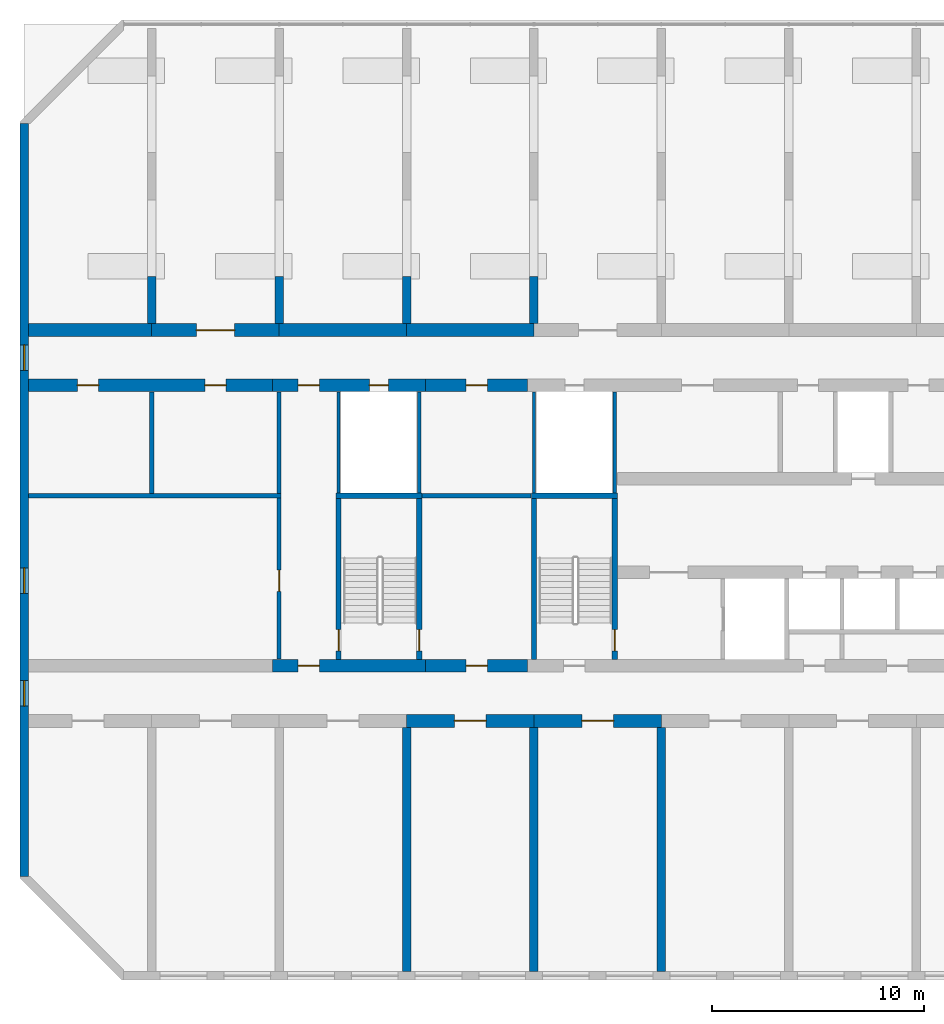
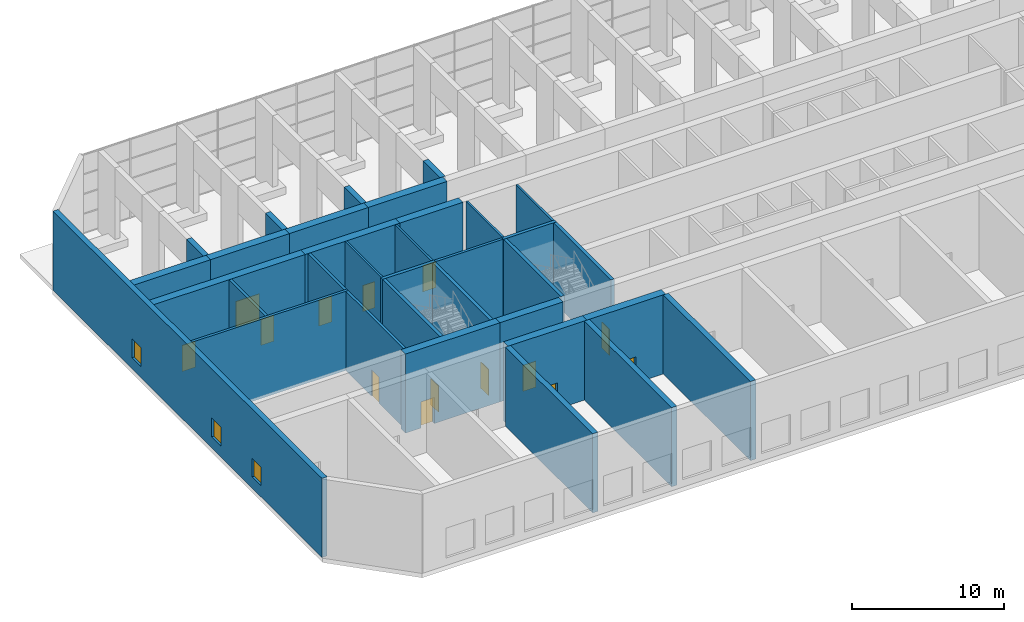
# One storey, part 7 of 15: 34 walls, 14 doors, 3 windows, 17 openings.
"""IFC4 building model written with IfcOpenShell, lengths in metres."""

from ifc_helpers import new_model, si_unit, direction, frame, frame_2d, origin, place, context, subcontext, project, spatial, rectangle, extrude, material, layer, layer_set, type_object, element, fill, save


model = new_model("IFC4")

# Units and contexts
model_context = context("Model", 3, precision=1e-05, world=origin(), true_north=direction((0.0, 1.0)))
body_context = subcontext(model_context, "Body", "Model", "MODEL_VIEW")
ifc_project = project(units=[si_unit("LENGTHUNIT", "METRE"), si_unit("AREAUNIT", "SQUARE_METRE"), si_unit("VOLUMEUNIT", "CUBIC_METRE"), si_unit("PLANEANGLEUNIT", "RADIAN"), si_unit("MASSUNIT", "GRAM", prefix="KILO")], contexts=[model_context])

# Site, building, storey
site_placement = place(None, origin())
site = spatial("IfcSite", under=ifc_project, at=site_placement, CompositionType="ELEMENT")
building_placement = place(site_placement, origin())
building = spatial("IfcBuilding", under=site, at=building_placement, Name="Poui Terraces", CompositionType="ELEMENT")
storey_placement = place(building_placement, frame((0.0, 0.0, 66.300048828125)))
storey = spatial("IfcBuildingStorey", under=building, at=storey_placement, Name="L18", CompositionType="ELEMENT", Elevation=66.300048828125)

# Wall, opening, door
ifc_material_1 = material(Name="Concrete 80 MPa", Category="concrete")
ifc_layer_1 = layer(ifc_material_1, 0.60009765625)
ifc_layer_set_1 = layer_set([ifc_layer_1], Name="Concrete 80 MPa")
wall_type_1 = type_object("IfcWallType", Name="BELT WALL 600 80MPa", PredefinedType="SHEAR", material=ifc_layer_set_1)
wall_1_placement = place(storey_placement, frame((24.0, 12.0, 0.0), z_axis=(0.0, 0.0, 1.0), x_axis=(1.0, 0.0, 0.0)))
wall_1 = element("IfcWall", 1, at=wall_1_placement, inside=storey, type_object=wall_type_1, Name="BELT WALL LINE B BAY 4", PredefinedType="SHEAR", context=body_context, shape_type="SweptSolid", body=[
    extrude(rectangle(XDim=6.0, YDim=0.60009765625, at=frame_2d((3.0, 0.0))), origin(), (0.0, 0.0, 1.0), 6.35986328125),
])
opening_1_placement = place(wall_1_placement, frame((2.25, 0.0, 0.0)))
opening_1 = element("IfcOpeningElement", 2, at=opening_1_placement, cuts=wall_1, Name="Opening FDP", PredefinedType="OPENING", context=body_context, shape_type="SweptSolid", body=[
    extrude(rectangle(XDim=1.5, YDim=2.10009765625, at=frame_2d((0.75, 1.050048828125))), frame((0.0, 0.31005859375, 0.0), z_axis=(0.0, -1.0, 0.0), x_axis=(1.0, 0.0, 0.0)), (0.0, 0.0, 1.0), 0.6201171875),
])
ifc_material_2 = material(Name="Steel fire door", Category="steel")
door_type_1 = type_object("IfcDoorType", Name="PLANT ROOM DOOR PAIR 1500 X 2100", OperationType="DOUBLE_DOOR_SINGLE_SWING", PredefinedType="DOOR", material=ifc_material_2)
door_1_placement = place(opening_1_placement, origin())
door_1 = element("IfcDoor", 3, at=door_1_placement, inside=storey, type_object=door_type_1, Name="PLANT ROOM DOOR PAIR 029", OperationType="DOUBLE_DOOR_SINGLE_SWING", OverallHeight=2.10009765625, OverallWidth=1.5, PredefinedType="DOOR", context=body_context, shape_type="SweptSolid", body=[
    extrude(rectangle(XDim=1.5, YDim=2.10009765625, at=frame_2d((0.75, 1.050048828125))), frame((0.0, 0.02490234375, 0.0), z_axis=(0.0, -1.0, 0.0), x_axis=(1.0, 0.0, 0.0)), (0.0, 0.0, 1.0), 0.050048828125),
])
fill(opening_1, door_1)

wall_2_placement = place(storey_placement, frame((30.0, 12.0, 0.0), z_axis=(0.0, 0.0, 1.0), x_axis=(1.0, 0.0, 0.0)))
wall_2 = element("IfcWall", 4, at=wall_2_placement, inside=storey, type_object=wall_type_1, Name="BELT WALL LINE B BAY 5", PredefinedType="SHEAR", context=body_context, shape_type="SweptSolid", body=[
    extrude(rectangle(XDim=6.0, YDim=0.60009765625, at=frame_2d((3.0, 0.0))), origin(), (0.0, 0.0, 1.0), 6.35986328125),
])
opening_2_placement = place(wall_2_placement, frame((2.25, 0.0, 0.0)))
opening_2 = element("IfcOpeningElement", 5, at=opening_2_placement, cuts=wall_2, Name="Opening FDP", PredefinedType="OPENING", context=body_context, shape_type="SweptSolid", body=[
    extrude(rectangle(XDim=1.5, YDim=2.10009765625, at=frame_2d((0.75, 1.050048828125))), frame((0.0, 0.31005859375, 0.0), z_axis=(0.0, -1.0, 0.0), x_axis=(1.0, 0.0, 0.0)), (0.0, 0.0, 1.0), 0.6201171875),
])
door_2_placement = place(opening_2_placement, origin())
door_2 = element("IfcDoor", 6, at=door_2_placement, inside=storey, type_object=door_type_1, Name="PLANT ROOM DOOR PAIR 032", OperationType="DOUBLE_DOOR_SINGLE_SWING", OverallHeight=2.10009765625, OverallWidth=1.5, PredefinedType="DOOR", context=body_context, shape_type="SweptSolid", body=[
    extrude(rectangle(XDim=1.5, YDim=2.10009765625, at=frame_2d((0.75, 1.050048828125))), frame((0.0, 0.02490234375, 0.0), z_axis=(0.0, -1.0, 0.0), x_axis=(1.0, 0.0, 0.0)), (0.0, 0.0, 1.0), 0.050048828125),
])
fill(opening_2, door_2)

# Wall
wall_3_placement = place(storey_placement, frame((6.199951171875, 30.39990234375, 0.0), z_axis=(0.0, 0.0, 1.0), x_axis=(1.0, 0.0, 0.0)))
element("IfcWall", 7, at=wall_3_placement, inside=storey, type_object=wall_type_1, Name="BELT WALL LINE E BAY 1", PredefinedType="SHEAR", context=body_context, shape_type="SweptSolid", body=[
    extrude(rectangle(XDim=5.800048828125, YDim=0.60009765625, at=frame_2d((2.89990234375, 0.0))), origin(), (0.0, 0.0, 1.0), 6.35986328125),
])

# Wall, opening, door
wall_4_placement = place(storey_placement, frame((12.0, 30.39990234375, 0.0), z_axis=(0.0, 0.0, 1.0), x_axis=(1.0, 0.0, 0.0)))
wall_4 = element("IfcWall", 8, at=wall_4_placement, inside=storey, type_object=wall_type_1, Name="BELT WALL LINE E BAY 2", PredefinedType="SHEAR", context=body_context, shape_type="SweptSolid", body=[
    extrude(rectangle(XDim=6.0, YDim=0.60009765625, at=frame_2d((3.0, 0.0))), origin(), (0.0, 0.0, 1.0), 6.35986328125),
])
opening_3_placement = place(wall_4_placement, frame((2.10009765625, 0.0, 0.0)))
opening_3 = element("IfcOpeningElement", 9, at=opening_3_placement, cuts=wall_4, Name="Opening DD180", PredefinedType="OPENING", context=body_context, shape_type="SweptSolid", body=[
    extrude(rectangle(XDim=1.800048828125, YDim=2.10009765625, at=frame_2d((0.89990234375, 1.050048828125))), frame((0.0, 0.31005859375, 0.0), z_axis=(0.0, -1.0, 0.0), x_axis=(1.0, 0.0, 0.0)), (0.0, 0.0, 1.0), 0.6201171875),
])
door_type_2 = type_object("IfcDoorType", Name="DOUBLE INTERNAL DOOR 1800 X 2100", OperationType="DOUBLE_DOOR_SINGLE_SWING", PredefinedType="DOOR", material=ifc_material_2)
door_3_placement = place(opening_3_placement, frame((1.800048828125, 0.0, 0.0), z_axis=(0.0, 0.0, 1.0), x_axis=(-1.0, 0.0, 0.0)))
door_3 = element("IfcDoor", 10, at=door_3_placement, inside=storey, type_object=door_type_2, Name="DOUBLE INTERNAL DOOR 003", OperationType="DOUBLE_DOOR_SINGLE_SWING", OverallHeight=2.10009765625, OverallWidth=1.800048828125, PredefinedType="DOOR", context=body_context, shape_type="SweptSolid", body=[
    extrude(rectangle(XDim=1.800048828125, YDim=2.10009765625, at=frame_2d((0.89990234375, 1.050048828125))), frame((0.0, 0.02490234375, 0.0), z_axis=(0.0, -1.0, 0.0), x_axis=(1.0, 0.0, 0.0)), (0.0, 0.0, 1.0), 0.050048828125),
])
fill(opening_3, door_3)

# Walls
for number, where, z_axis, x_axis, name in (
    (11, (18.0, 30.39990234375, 0.0), (0.0, 0.0, 1.0), (1.0, 0.0, 0.0), "BELT WALL LINE E BAY 3"),
    (12, (24.0, 30.39990234375, 0.0), (0.0, 0.0, 1.0), (1.0, 0.0, 0.0), "BELT WALL LINE E BAY 4"),
):
    element("IfcWall", number, at=place(storey_placement, frame(where, z_axis=z_axis, x_axis=x_axis)), inside=storey, type_object=wall_type_1, Name=name, PredefinedType="SHEAR", context=body_context, shape_type="SweptSolid", body=[
        extrude(rectangle(XDim=6.0, YDim=0.60009765625, at=frame_2d((3.0, 0.0))), origin(), (0.0, 0.0, 1.0), 6.35986328125),
    ])
ifc_layer_2 = layer(ifc_material_1, 0.39990234375)
ifc_layer_set_2 = layer_set([ifc_layer_2], Name="Concrete 80 MPa")
wall_type_2 = type_object("IfcWallType", Name="CROSS WALL 400 80MPa", PredefinedType="SHEAR", material=ifc_layer_set_2)
for number, where, z_axis, x_axis, name in (
    (13, (24.0, 0.199951171875, 0.0), (0.0, 0.0, 1.0), (0.0, 1.0, 0.0), "CROSS WALL LINE 5 SOUTH"),
    (14, (30.0, 0.199951171875, 0.0), (0.0, 0.0, 1.0), (0.0, 1.0, 0.0), "CROSS WALL LINE 6 SOUTH"),
    (15, (36.0, 0.199951171875, 0.0), (0.0, 0.0, 1.0), (0.0, 1.0, 0.0), "CROSS WALL LINE 7 SOUTH"),
):
    element("IfcWall", number, at=place(storey_placement, frame(where, z_axis=z_axis, x_axis=x_axis)), inside=storey, type_object=wall_type_2, Name=name, PredefinedType="SHEAR", context=body_context, shape_type="SweptSolid", body=[
        extrude(rectangle(XDim=11.5, YDim=0.39990234375, at=frame_2d((5.75, 0.0))), origin(), (0.0, 0.0, 1.0), 6.35986328125),
    ])

# Wall, openings, windows
ifc_layer_3 = layer(ifc_material_1, 0.39990234375)
ifc_layer_set_3 = layer_set([ifc_layer_3], Name="Concrete 80 MPa")
wall_type_3 = type_object("IfcWallType", Name="END WALL 400 80MPa", PredefinedType="SHEAR", material=ifc_layer_set_3)
wall_5_placement = place(storey_placement, frame((6.0, 4.682861328125, 0.0), z_axis=(0.0, 0.0, 1.0), x_axis=(0.0, 1.0, 0.0)))
wall_5 = element("IfcWall", 16, at=wall_5_placement, inside=storey, type_object=wall_type_3, Name="END WALL WEST", PredefinedType="SHEAR", context=body_context, shape_type="SweptSolid", body=[
    extrude(rectangle(XDim=35.434326171875, YDim=0.39990234375, at=frame_2d((17.71728515625, 0.0))), origin(), (0.0, 0.0, 1.0), 6.35986328125),
])
opening_4_placement = place(wall_5_placement, frame((23.817138671875, 0.0, 0.89990234375)))
opening_4 = element("IfcOpeningElement", 17, at=opening_4_placement, cuts=wall_5, Name="Opening W2", PredefinedType="OPENING", context=body_context, shape_type="SweptSolid", body=[
    extrude(rectangle(XDim=1.199951171875, YDim=1.5, at=frame_2d((0.60009765625, 0.75))), frame((0.0, 0.2099609375, 0.0), z_axis=(0.0, -1.0, 0.0), x_axis=(1.0, 0.0, 0.0)), (0.0, 0.0, 1.0), 0.419921875),
])
opening_5_placement = place(wall_5_placement, frame((8.01708984375, 0.0, 0.89990234375)))
opening_5 = element("IfcOpeningElement", 18, at=opening_5_placement, cuts=wall_5, Name="Opening W2", PredefinedType="OPENING", context=body_context, shape_type="SweptSolid", body=[
    extrude(rectangle(XDim=1.199951171875, YDim=1.5, at=frame_2d((0.60009765625, 0.75))), frame((0.0, 0.2099609375, 0.0), z_axis=(0.0, -1.0, 0.0), x_axis=(1.0, 0.0, 0.0)), (0.0, 0.0, 1.0), 0.419921875),
])
opening_6_placement = place(wall_5_placement, frame((13.317138671875, 0.0, 0.89990234375)))
opening_6 = element("IfcOpeningElement", 19, at=opening_6_placement, cuts=wall_5, Name="Opening W2", PredefinedType="OPENING", context=body_context, shape_type="SweptSolid", body=[
    extrude(rectangle(XDim=1.199951171875, YDim=1.5, at=frame_2d((0.60009765625, 0.75))), frame((0.0, 0.2099609375, 0.0), z_axis=(0.0, -1.0, 0.0), x_axis=(1.0, 0.0, 0.0)), (0.0, 0.0, 1.0), 0.419921875),
])
ifc_material_3 = material(Name="Clear glass in aluminium frame", Category="aluminium")
window_type = type_object("IfcWindowType", Name="WINDOW 1200X1500", PartitioningType="SINGLE_PANEL", PredefinedType="WINDOW", material=ifc_material_3)
window_1_placement = place(opening_4_placement, origin())
window_1 = element("IfcWindow", 20, at=window_1_placement, inside=storey, type_object=window_type, Name="W2 WINDOW", OverallHeight=1.5, OverallWidth=1.199951171875, PartitioningType="SINGLE_PANEL", PredefinedType="WINDOW", context=body_context, shape_type="SweptSolid", body=[
    extrude(rectangle(XDim=1.199951171875, YDim=1.5, at=frame_2d((0.60009765625, 0.75))), frame((0.0, 0.030029296875, 0.0), z_axis=(0.0, -1.0, 0.0), x_axis=(1.0, 0.0, 0.0)), (0.0, 0.0, 1.0), 0.06005859375),
])
fill(opening_4, window_1)
window_2_placement = place(opening_5_placement, origin())
window_2 = element("IfcWindow", 21, at=window_2_placement, inside=storey, type_object=window_type, Name="W2 WINDOW", OverallHeight=1.5, OverallWidth=1.199951171875, PartitioningType="SINGLE_PANEL", PredefinedType="WINDOW", context=body_context, shape_type="SweptSolid", body=[
    extrude(rectangle(XDim=1.199951171875, YDim=1.5, at=frame_2d((0.60009765625, 0.75))), frame((0.0, 0.030029296875, 0.0), z_axis=(0.0, -1.0, 0.0), x_axis=(1.0, 0.0, 0.0)), (0.0, 0.0, 1.0), 0.06005859375),
])
fill(opening_5, window_2)
window_3_placement = place(opening_6_placement, origin())
window_3 = element("IfcWindow", 22, at=window_3_placement, inside=storey, type_object=window_type, Name="W2 WINDOW", OverallHeight=1.5, OverallWidth=1.199951171875, PartitioningType="SINGLE_PANEL", PredefinedType="WINDOW", context=body_context, shape_type="SweptSolid", body=[
    extrude(rectangle(XDim=1.199951171875, YDim=1.5, at=frame_2d((0.60009765625, 0.75))), frame((0.0, 0.030029296875, 0.0), z_axis=(0.0, -1.0, 0.0), x_axis=(1.0, 0.0, 0.0)), (0.0, 0.0, 1.0), 0.06005859375),
])
fill(opening_6, window_3)

# Wall, opening, door
ifc_layer_4 = layer(ifc_material_1, 0.60009765625)
ifc_layer_set_4 = layer_set([ifc_layer_4], Name="Concrete 80 MPa")
wall_type_4 = type_object("IfcWallType", Name="OUTRIGGER WALL 600 80MPa", PredefinedType="SHEAR", material=ifc_layer_set_4)
wall_6_placement = place(storey_placement, frame((24.89990234375, 14.60009765625, 0.0), z_axis=(0.0, 0.0, 1.0), x_axis=(1.0, 0.0, 0.0)))
wall_6 = element("IfcWall", 23, at=wall_6_placement, inside=storey, type_object=wall_type_4, Name="OUTRIGGER WALL LINE C W2", PredefinedType="SHEAR", context=body_context, shape_type="SweptSolid", body=[
    extrude(rectangle(XDim=4.800048828125, YDim=0.60009765625, at=frame_2d((2.39990234375, 0.0))), origin(), (0.0, 0.0, 1.0), 6.35986328125),
])
opening_7_placement = place(wall_6_placement, frame((1.89990234375, 0.0, 0.0)))
opening_7 = element("IfcOpeningElement", 24, at=opening_7_placement, cuts=wall_6, Name="Opening FDRF", PredefinedType="OPENING", context=body_context, shape_type="SweptSolid", body=[
    extrude(rectangle(XDim=1.0, YDim=2.10009765625, at=frame_2d((0.5, 1.050048828125))), frame((0.0, 0.31005859375, 0.0), z_axis=(0.0, -1.0, 0.0), x_axis=(1.0, 0.0, 0.0)), (0.0, 0.0, 1.0), 0.6201171875),
])
door_type_3 = type_object("IfcDoorType", Name="REFUGE AREA DOOR 1000 X 2100", OperationType="NOTDEFINED", PredefinedType="DOOR", material=ifc_material_2)
door_4_placement = place(opening_7_placement, frame((1.0, 0.0, 0.0), z_axis=(0.0, 0.0, 1.0), x_axis=(-1.0, 0.0, 0.0)))
door_4 = element("IfcDoor", 25, at=door_4_placement, inside=storey, type_object=door_type_3, Name="REFUGE AREA DOOR 030", OperationType="SINGLE_SWING_LEFT", OverallHeight=2.10009765625, OverallWidth=1.0, PredefinedType="DOOR", context=body_context, shape_type="SweptSolid", body=[
    extrude(rectangle(XDim=1.0, YDim=2.10009765625, at=frame_2d((0.5, 1.050048828125))), frame((0.0, 0.02490234375, 0.0), z_axis=(0.0, -1.0, 0.0), x_axis=(1.0, 0.0, 0.0)), (0.0, 0.0, 1.0), 0.050048828125),
])
fill(opening_7, door_4)

# Wall, openings, doors
wall_7_placement = place(storey_placement, frame((6.199951171875, 27.800048828125, 0.0), z_axis=(0.0, 0.0, 1.0), x_axis=(1.0, 0.0, 0.0)))
wall_7 = element("IfcWall", 26, at=wall_7_placement, inside=storey, type_object=wall_type_4, Name="OUTRIGGER WALL LINE D W1", PredefinedType="SHEAR", context=body_context, shape_type="SweptSolid", body=[
    extrude(rectangle(XDim=11.5, YDim=0.60009765625, at=frame_2d((5.75, 0.0))), origin(), (0.0, 0.0, 1.0), 6.35986328125),
])
opening_8_placement = place(wall_7_placement, frame((2.300048828125, 0.0, 0.0)))
opening_8 = element("IfcOpeningElement", 27, at=opening_8_placement, cuts=wall_7, Name="Opening FD60", PredefinedType="OPENING", context=body_context, shape_type="SweptSolid", body=[
    extrude(rectangle(XDim=1.0, YDim=2.10009765625, at=frame_2d((0.5, 1.050048828125))), frame((0.0, 0.31005859375, 0.0), z_axis=(0.0, -1.0, 0.0), x_axis=(1.0, 0.0, 0.0)), (0.0, 0.0, 1.0), 0.6201171875),
])
opening_9_placement = place(wall_7_placement, frame((8.300048828125, 0.0, 0.0)))
opening_9 = element("IfcOpeningElement", 28, at=opening_9_placement, cuts=wall_7, Name="Opening FD60", PredefinedType="OPENING", context=body_context, shape_type="SweptSolid", body=[
    extrude(rectangle(XDim=1.0, YDim=2.10009765625, at=frame_2d((0.5, 1.050048828125))), frame((0.0, 0.31005859375, 0.0), z_axis=(0.0, -1.0, 0.0), x_axis=(1.0, 0.0, 0.0)), (0.0, 0.0, 1.0), 0.6201171875),
])
door_type_4 = type_object("IfcDoorType", Name="SERVICE ROOM FIRE DOOR 1000 X 2100", OperationType="NOTDEFINED", PredefinedType="DOOR", material=ifc_material_2)
door_5_placement = place(opening_8_placement, origin())
door_5 = element("IfcDoor", 29, at=door_5_placement, inside=storey, type_object=door_type_4, Name="SERVICE ROOM FIRE DOOR 001", OperationType="SINGLE_SWING_LEFT", OverallHeight=2.10009765625, OverallWidth=1.0, PredefinedType="DOOR", context=body_context, shape_type="SweptSolid", body=[
    extrude(rectangle(XDim=1.0, YDim=2.10009765625, at=frame_2d((0.5, 1.050048828125))), frame((0.0, 0.02490234375, 0.0), z_axis=(0.0, -1.0, 0.0), x_axis=(1.0, 0.0, 0.0)), (0.0, 0.0, 1.0), 0.050048828125),
])
fill(opening_8, door_5)
door_6_placement = place(opening_9_placement, origin())
door_6 = element("IfcDoor", 30, at=door_6_placement, inside=storey, type_object=door_type_4, Name="SERVICE ROOM FIRE DOOR 002", OperationType="SINGLE_SWING_RIGHT", OverallHeight=2.10009765625, OverallWidth=1.0, PredefinedType="DOOR", context=body_context, shape_type="SweptSolid", body=[
    extrude(rectangle(XDim=1.0, YDim=2.10009765625, at=frame_2d((0.5, 1.050048828125))), frame((0.0, 0.02490234375, 0.0), z_axis=(0.0, -1.0, 0.0), x_axis=(1.0, 0.0, 0.0)), (0.0, 0.0, 1.0), 0.050048828125),
])
fill(opening_9, door_6)

# Wall, opening, door
wall_8_placement = place(storey_placement, frame((24.89990234375, 27.800048828125, 0.0), z_axis=(0.0, 0.0, 1.0), x_axis=(1.0, 0.0, 0.0)))
wall_8 = element("IfcWall", 31, at=wall_8_placement, inside=storey, type_object=wall_type_4, Name="OUTRIGGER WALL LINE D W2", PredefinedType="SHEAR", context=body_context, shape_type="SweptSolid", body=[
    extrude(rectangle(XDim=4.800048828125, YDim=0.60009765625, at=frame_2d((2.39990234375, 0.0))), origin(), (0.0, 0.0, 1.0), 6.35986328125),
])
opening_10_placement = place(wall_8_placement, frame((1.89990234375, 0.0, 0.0)))
opening_10 = element("IfcOpeningElement", 32, at=opening_10_placement, cuts=wall_8, Name="Opening FD60", PredefinedType="OPENING", context=body_context, shape_type="SweptSolid", body=[
    extrude(rectangle(XDim=1.0, YDim=2.10009765625, at=frame_2d((0.5, 1.050048828125))), frame((0.0, 0.31005859375, 0.0), z_axis=(0.0, -1.0, 0.0), x_axis=(1.0, 0.0, 0.0)), (0.0, 0.0, 1.0), 0.6201171875),
])
door_7_placement = place(opening_10_placement, origin())
door_7 = element("IfcDoor", 33, at=door_7_placement, inside=storey, type_object=door_type_4, Name="SERVICE ROOM FIRE DOOR 006", OperationType="SINGLE_SWING_RIGHT", OverallHeight=2.10009765625, OverallWidth=1.0, PredefinedType="DOOR", context=body_context, shape_type="SweptSolid", body=[
    extrude(rectangle(XDim=1.0, YDim=2.10009765625, at=frame_2d((0.5, 1.050048828125))), frame((0.0, 0.02490234375, 0.0), z_axis=(0.0, -1.0, 0.0), x_axis=(1.0, 0.0, 0.0)), (0.0, 0.0, 1.0), 0.050048828125),
])
fill(opening_10, door_7)

# Walls
ifc_layer_5 = layer(ifc_material_1, 0.39990234375)
ifc_layer_set_5 = layer_set([ifc_layer_5], Name="Concrete 80 MPa")
wall_type_5 = type_object("IfcWallType", Name="PIERCED CROSS WALL 400 80MPa", PredefinedType="SHEAR", material=ifc_layer_set_5)
for number, where, z_axis, x_axis, name in (
    (34, (12.0, 30.699951171875, 0.0), (0.0, 0.0, 1.0), (0.0, 1.0, 0.0), "PIER LINE 3 1"),
    (35, (18.0, 30.699951171875, 0.0), (0.0, 0.0, 1.0), (0.0, 1.0, 0.0), "PIER LINE 4 1"),
    (36, (24.0, 30.699951171875, 0.0), (0.0, 0.0, 1.0), (0.0, 1.0, 0.0), "PIER LINE 5 1"),
    (37, (30.0, 30.699951171875, 0.0), (0.0, 0.0, 1.0), (0.0, 1.0, 0.0), "PIER LINE 6 1"),
):
    element("IfcWall", number, at=place(storey_placement, frame(where, z_axis=z_axis, x_axis=x_axis)), inside=storey, type_object=wall_type_5, Name=name, PredefinedType="SHEAR", context=body_context, shape_type="SweptSolid", body=[
        extrude(rectangle(XDim=2.2333984375, YDim=0.39990234375, at=frame_2d((1.11669921875, 0.0))), origin(), (0.0, 0.0, 1.0), 6.35986328125),
    ])
ifc_material_4 = material(Name="Fire-rated masonry wall", Category="masonry")
ifc_layer_6 = layer(ifc_material_4, 0.199951171875)
ifc_layer_set_6 = layer_set([ifc_layer_6], Name="Fire-rated masonry wall")
wall_type_6 = type_object("IfcWallType", Name="PLANT ROOM WALL 200", PredefinedType="PARTITIONING", material=ifc_layer_set_6)
for number, where, z_axis, x_axis, name in (
    (38, (12.0, 22.699951171875, 0.0), (0.0, 0.0, 1.0), (0.0, 1.0, 0.0), "PLANT ROOM WALL 200"),
    (39, (18.0, 22.699951171875, 0.0), (0.0, 0.0, 1.0), (0.0, 1.0, 0.0), "PLANT ROOM WALL 200"),
):
    element("IfcWall", number, at=place(storey_placement, frame(where, z_axis=z_axis, x_axis=x_axis)), inside=storey, type_object=wall_type_6, Name=name, PredefinedType="PARTITIONING", context=body_context, shape_type="SweptSolid", body=[
        extrude(rectangle(XDim=4.7900390625, YDim=0.199951171875, at=frame_2d((2.39501953125, 0.0))), origin(), (0.0, 0.0, 1.0), 6.35986328125),
    ])
ifc_layer_7 = layer(ifc_material_4, 0.199951171875)
ifc_layer_set_7 = layer_set([ifc_layer_7], Name="Fire-rated masonry wall")
wall_type_7 = type_object("IfcWallType", Name="REFUGE AREA WALL 200", PredefinedType="PARTITIONING", material=ifc_layer_set_7)
wall_9_placement = place(storey_placement, frame((6.2099609375, 22.60009765625, 0.0), z_axis=(0.0, 0.0, 1.0), x_axis=(1.0, 0.0, 0.0)))
element("IfcWall", 40, at=wall_9_placement, inside=storey, type_object=wall_type_7, Name="REFUGE AREA WALL 200", PredefinedType="PARTITIONING", context=body_context, shape_type="SweptSolid", body=[
    extrude(rectangle(XDim=11.89013671875, YDim=0.199951171875, at=frame_2d((5.945068359375, 0.0))), origin(), (0.0, 0.0, 1.0), 6.35986328125),
])
wall_10_placement = place(storey_placement, frame((24.735107421875, 22.60009765625, 0.0), z_axis=(0.0, 0.0, 1.0), x_axis=(1.0, 0.0, 0.0)))
element("IfcWall", 41, at=wall_10_placement, inside=storey, type_object=wall_type_7, Name="REFUGE AREA WALL 200", PredefinedType="PARTITIONING", context=body_context, shape_type="SweptSolid", body=[
    extrude(rectangle(XDim=5.1298828125, YDim=0.199951171875, at=frame_2d((2.56494140625, 0.0))), origin(), (0.0, 0.0, 1.0), 6.35986328125),
])

# Wall, opening, door
wall_11_placement = place(storey_placement, frame((18.0, 14.909912109375, 0.0), z_axis=(0.0, 0.0, 1.0), x_axis=(0.0, 1.0, 0.0)))
wall_11 = element("IfcWall", 42, at=wall_11_placement, inside=storey, type_object=wall_type_7, Name="REFUGE AREA WALL 200", PredefinedType="PARTITIONING", context=body_context, shape_type="SweptSolid", body=[
    extrude(rectangle(XDim=7.590087890625, YDim=0.199951171875, at=frame_2d((3.794921875, 0.0))), origin(), (0.0, 0.0, 1.0), 6.35986328125),
])
opening_11_placement = place(wall_11_placement, frame((3.18994140625, 0.0, 0.0)))
opening_11 = element("IfcOpeningElement", 43, at=opening_11_placement, cuts=wall_11, Name="Opening FDRF", PredefinedType="OPENING", context=body_context, shape_type="SweptSolid", body=[
    extrude(rectangle(XDim=1.0, YDim=2.10009765625, at=frame_2d((0.5, 1.050048828125))), frame((0.0, 0.10986328125, 0.0), z_axis=(0.0, -1.0, 0.0), x_axis=(1.0, 0.0, 0.0)), (0.0, 0.0, 1.0), 0.219970703125),
])
door_8_placement = place(opening_11_placement, frame((1.0, 0.0, 0.0), z_axis=(0.0, 0.0, 1.0), x_axis=(-1.0, 0.0, 0.0)))
door_8 = element("IfcDoor", 44, at=door_8_placement, inside=storey, type_object=door_type_3, Name="REFUGE AREA DOOR 070", OperationType="SINGLE_SWING_LEFT", OverallHeight=2.10009765625, OverallWidth=1.0, PredefinedType="DOOR", context=body_context, shape_type="SweptSolid", body=[
    extrude(rectangle(XDim=1.0, YDim=2.10009765625, at=frame_2d((0.5, 1.050048828125))), frame((0.0, 0.02490234375, 0.0), z_axis=(0.0, -1.0, 0.0), x_axis=(1.0, 0.0, 0.0)), (0.0, 0.0, 1.0), 0.050048828125),
])
fill(opening_11, door_8)

# Walls
ifc_material_5 = material(Name="Fire-rated plasterboard riser wall")
ifc_layer_8 = layer(ifc_material_5, 0.14990234375)
ifc_layer_set_8 = layer_set([ifc_layer_8], Name="Fire-rated plasterboard riser wall")
wall_type_8 = type_object("IfcWallType", Name="RISER WALL 150", PredefinedType="PARTITIONING", material=ifc_layer_set_8)
for number, where, z_axis, x_axis, name in (
    (45, (20.800048828125, 22.735107421875, 0.0), (0.0, 0.0, 1.0), (0.0, 1.0, 0.0), "RISER WALL 150"),
    (46, (24.60009765625, 22.735107421875, 0.0), (0.0, 0.0, 1.0), (0.0, 1.0, 0.0), "RISER WALL 150"),
    (47, (30.0, 22.735107421875, 0.0), (0.0, 0.0, 1.0), (0.0, 1.0, 0.0), "RISER WALL 150"),
    (48, (33.800048828125, 22.735107421875, 0.0), (0.0, 0.0, 1.0), (0.0, 1.0, 0.0), "RISER WALL 150"),
):
    element("IfcWall", number, at=place(storey_placement, frame(where, z_axis=z_axis, x_axis=x_axis)), inside=storey, type_object=wall_type_8, Name=name, PredefinedType="PARTITIONING", context=body_context, shape_type="SweptSolid", body=[
        extrude(rectangle(XDim=4.7548828125, YDim=0.14990234375, at=frame_2d((2.37744140625, 0.0))), origin(), (0.0, 0.0, 1.0), 6.35986328125),
    ])

# Wall, opening, door
ifc_layer_9 = layer(ifc_material_1, 0.60009765625)
ifc_layer_set_9 = layer_set([ifc_layer_9], Name="Concrete 80 MPa")
wall_type_9 = type_object("IfcWallType", Name="SPINE WALL 600 80 MPA", PredefinedType="SOLIDWALL", material=ifc_layer_set_9)
wall_12_placement = place(storey_placement, frame((17.699951171875, 14.60009765625, 0.0), z_axis=(0.0, 0.0, 1.0), x_axis=(1.0, 0.0, 0.0)))
wall_12 = element("IfcWall", 49, at=wall_12_placement, inside=storey, type_object=wall_type_9, Name="SPINE WALL", PredefinedType="SOLIDWALL", context=body_context, shape_type="SweptSolid", body=[
    extrude(rectangle(XDim=7.199951171875, YDim=0.60009765625, at=frame_2d((3.60009765625, 0.0))), origin(), (0.0, 0.0, 1.0), 6.35986328125),
])
opening_12_placement = place(wall_12_placement, frame((1.199951171875, 0.0, 0.0)))
opening_12 = element("IfcOpeningElement", 50, at=opening_12_placement, cuts=wall_12, Name="Opening FDL", PredefinedType="OPENING", context=body_context, shape_type="SweptSolid", body=[
    extrude(rectangle(XDim=1.0, YDim=2.10009765625, at=frame_2d((0.5, 1.050048828125))), frame((0.0, 0.31005859375, 0.0), z_axis=(0.0, -1.0, 0.0), x_axis=(1.0, 0.0, 0.0)), (0.0, 0.0, 1.0), 0.6201171875),
])
door_type_5 = type_object("IfcDoorType", Name="LOBBY FIRE DOOR 1000 X 2100", OperationType="NOTDEFINED", PredefinedType="DOOR", material=ifc_material_2)
door_9_placement = place(opening_12_placement, frame((1.0, 0.0, 0.0), z_axis=(0.0, 0.0, 1.0), x_axis=(-1.0, 0.0, 0.0)))
door_9 = element("IfcDoor", 51, at=door_9_placement, inside=storey, type_object=door_type_5, Name="LOBBY FIRE DOOR 027", OperationType="SINGLE_SWING_RIGHT", OverallHeight=2.10009765625, OverallWidth=1.0, PredefinedType="DOOR", context=body_context, shape_type="SweptSolid", body=[
    extrude(rectangle(XDim=1.0, YDim=2.10009765625, at=frame_2d((0.5, 1.050048828125))), frame((0.0, 0.02490234375, 0.0), z_axis=(0.0, -1.0, 0.0), x_axis=(1.0, 0.0, 0.0)), (0.0, 0.0, 1.0), 0.050048828125),
])
fill(opening_12, door_9)

# Wall, openings, doors
wall_13_placement = place(storey_placement, frame((17.699951171875, 27.800048828125, 0.0), z_axis=(0.0, 0.0, 1.0), x_axis=(1.0, 0.0, 0.0)))
wall_13 = element("IfcWall", 52, at=wall_13_placement, inside=storey, type_object=wall_type_9, Name="SPINE WALL", PredefinedType="SOLIDWALL", context=body_context, shape_type="SweptSolid", body=[
    extrude(rectangle(XDim=7.199951171875, YDim=0.60009765625, at=frame_2d((3.60009765625, 0.0))), origin(), (0.0, 0.0, 1.0), 6.35986328125),
])
opening_13_placement = place(wall_13_placement, frame((1.199951171875, 0.0, 0.0)))
opening_13 = element("IfcOpeningElement", 53, at=opening_13_placement, cuts=wall_13, Name="Opening FDL", PredefinedType="OPENING", context=body_context, shape_type="SweptSolid", body=[
    extrude(rectangle(XDim=1.0, YDim=2.10009765625, at=frame_2d((0.5, 1.050048828125))), frame((0.0, 0.31005859375, 0.0), z_axis=(0.0, -1.0, 0.0), x_axis=(1.0, 0.0, 0.0)), (0.0, 0.0, 1.0), 0.6201171875),
])
opening_14_placement = place(wall_13_placement, frame((4.550048828125, 0.0, 0.0)))
opening_14 = element("IfcOpeningElement", 54, at=opening_14_placement, cuts=wall_13, Name="Opening FDR", PredefinedType="OPENING", context=body_context, shape_type="SweptSolid", body=[
    extrude(rectangle(XDim=0.89990234375, YDim=2.10009765625, at=frame_2d((0.449951171875, 1.050048828125))), frame((0.0, 0.31005859375, 0.0), z_axis=(0.0, -1.0, 0.0), x_axis=(1.0, 0.0, 0.0)), (0.0, 0.0, 1.0), 0.6201171875),
])
door_10_placement = place(opening_13_placement, origin())
door_10 = element("IfcDoor", 55, at=door_10_placement, inside=storey, type_object=door_type_5, Name="LOBBY FIRE DOOR 004", OperationType="SINGLE_SWING_LEFT", OverallHeight=2.10009765625, OverallWidth=1.0, PredefinedType="DOOR", context=body_context, shape_type="SweptSolid", body=[
    extrude(rectangle(XDim=1.0, YDim=2.10009765625, at=frame_2d((0.5, 1.050048828125))), frame((0.0, 0.02490234375, 0.0), z_axis=(0.0, -1.0, 0.0), x_axis=(1.0, 0.0, 0.0)), (0.0, 0.0, 1.0), 0.050048828125),
])
fill(opening_13, door_10)
door_type_6 = type_object("IfcDoorType", Name="RISER CUPBOARD DOOR 900 X 2100", OperationType="NOTDEFINED", PredefinedType="DOOR", material=ifc_material_2)
door_11_placement = place(opening_14_placement, origin())
door_11 = element("IfcDoor", 56, at=door_11_placement, inside=storey, type_object=door_type_6, Name="RISER CUPBOARD DOOR 005", OperationType="SINGLE_SWING_LEFT", OverallHeight=2.10009765625, OverallWidth=0.89990234375, PredefinedType="DOOR", context=body_context, shape_type="SweptSolid", body=[
    extrude(rectangle(XDim=0.89990234375, YDim=2.10009765625, at=frame_2d((0.449951171875, 1.050048828125))), frame((0.0, 0.02490234375, 0.0), z_axis=(0.0, -1.0, 0.0), x_axis=(1.0, 0.0, 0.0)), (0.0, 0.0, 1.0), 0.050048828125),
])
fill(opening_14, door_11)

# Wall
ifc_layer_10 = layer(ifc_material_1, 0.25)
ifc_layer_set_10 = layer_set([ifc_layer_10], Name="Concrete 80 MPa")
wall_type_10 = type_object("IfcWallType", Name="STAIR CORE WALL 250 80 MPA", PredefinedType="SOLIDWALL", material=ifc_layer_set_10)
wall_14_placement = place(storey_placement, frame((30.0, 14.89990234375, 0.0), z_axis=(0.0, 0.0, 1.0), x_axis=(0.0, 1.0, 0.0)))
element("IfcWall", 57, at=wall_14_placement, inside=storey, type_object=wall_type_10, Name="STAIR CORE WALL", PredefinedType="SOLIDWALL", context=body_context, shape_type="SweptSolid", body=[
    extrude(rectangle(XDim=7.5751953125, YDim=0.25, at=frame_2d((3.78759765625, 0.0))), origin(), (0.0, 0.0, 1.0), 6.35986328125),
])

# Wall, opening, door
wall_15_placement = place(storey_placement, frame((33.800048828125, 14.89990234375, 0.0), z_axis=(0.0, 0.0, 1.0), x_axis=(0.0, 1.0, 0.0)))
wall_15 = element("IfcWall", 58, at=wall_15_placement, inside=storey, type_object=wall_type_10, Name="STAIR CORE WALL", PredefinedType="SOLIDWALL", context=body_context, shape_type="SweptSolid", body=[
    extrude(rectangle(XDim=7.5751953125, YDim=0.25, at=frame_2d((3.78759765625, 0.0))), origin(), (0.0, 0.0, 1.0), 6.35986328125),
])
opening_15_placement = place(wall_15_placement, frame((0.39990234375, 0.0, 0.0)))
opening_15 = element("IfcOpeningElement", 59, at=opening_15_placement, cuts=wall_15, Name="Opening FD60S", PredefinedType="OPENING", context=body_context, shape_type="SweptSolid", body=[
    extrude(rectangle(XDim=1.0, YDim=2.10009765625, at=frame_2d((0.5, 1.050048828125))), frame((0.0, 0.135009765625, 0.0), z_axis=(0.0, -1.0, 0.0), x_axis=(1.0, 0.0, 0.0)), (0.0, 0.0, 1.0), 0.27001953125),
])
door_type_7 = type_object("IfcDoorType", Name="STAIR DOOR 1000 X 2100", OperationType="NOTDEFINED", PredefinedType="DOOR", material=ifc_material_2)
door_12_placement = place(opening_15_placement, origin())
door_12 = element("IfcDoor", 60, at=door_12_placement, inside=storey, type_object=door_type_7, Name="STAIR DOOR 053", OperationType="SINGLE_SWING_LEFT", OverallHeight=2.10009765625, OverallWidth=1.0, PredefinedType="DOOR", context=body_context, shape_type="SweptSolid", body=[
    extrude(rectangle(XDim=1.0, YDim=2.10009765625, at=frame_2d((0.5, 1.050048828125))), frame((0.0, 0.02490234375, 0.0), z_axis=(0.0, -1.0, 0.0), x_axis=(1.0, 0.0, 0.0)), (0.0, 0.0, 1.0), 0.050048828125),
])
fill(opening_15, door_12)

# Wall
wall_16_placement = place(storey_placement, frame((29.875, 22.60009765625, 0.0), z_axis=(0.0, 0.0, 1.0), x_axis=(1.0, 0.0, 0.0)))
element("IfcWall", 61, at=wall_16_placement, inside=storey, type_object=wall_type_10, Name="STAIR CORE WALL", PredefinedType="SOLIDWALL", context=body_context, shape_type="SweptSolid", body=[
    extrude(rectangle(XDim=4.050048828125, YDim=0.25, at=frame_2d((2.02490234375, 0.0))), origin(), (0.0, 0.0, 1.0), 6.35986328125),
])

# Wall, opening, door
wall_17_placement = place(storey_placement, frame((20.800048828125, 14.89990234375, 0.0), z_axis=(0.0, 0.0, 1.0), x_axis=(0.0, 1.0, 0.0)))
wall_17 = element("IfcWall", 62, at=wall_17_placement, inside=storey, type_object=wall_type_10, Name="STAIR CORE WALL", PredefinedType="SOLIDWALL", context=body_context, shape_type="SweptSolid", body=[
    extrude(rectangle(XDim=7.5751953125, YDim=0.25, at=frame_2d((3.78759765625, 0.0))), origin(), (0.0, 0.0, 1.0), 6.35986328125),
])
opening_16_placement = place(wall_17_placement, frame((0.39990234375, 0.0, 0.0)))
opening_16 = element("IfcOpeningElement", 63, at=opening_16_placement, cuts=wall_17, Name="Opening FD60S", PredefinedType="OPENING", context=body_context, shape_type="SweptSolid", body=[
    extrude(rectangle(XDim=1.0, YDim=2.10009765625, at=frame_2d((0.5, 1.050048828125))), frame((0.0, 0.135009765625, 0.0), z_axis=(0.0, -1.0, 0.0), x_axis=(1.0, 0.0, 0.0)), (0.0, 0.0, 1.0), 0.27001953125),
])
door_13_placement = place(opening_16_placement, frame((1.0, 0.0, 0.0), z_axis=(0.0, 0.0, 1.0), x_axis=(-1.0, 0.0, 0.0)))
door_13 = element("IfcDoor", 64, at=door_13_placement, inside=storey, type_object=door_type_7, Name="STAIR DOOR 071", OperationType="SINGLE_SWING_RIGHT", OverallHeight=2.10009765625, OverallWidth=1.0, PredefinedType="DOOR", context=body_context, shape_type="SweptSolid", body=[
    extrude(rectangle(XDim=1.0, YDim=2.10009765625, at=frame_2d((0.5, 1.050048828125))), frame((0.0, 0.02490234375, 0.0), z_axis=(0.0, -1.0, 0.0), x_axis=(1.0, 0.0, 0.0)), (0.0, 0.0, 1.0), 0.050048828125),
])
fill(opening_16, door_13)

wall_18_placement = place(storey_placement, frame((24.60009765625, 14.89990234375, 0.0), z_axis=(0.0, 0.0, 1.0), x_axis=(0.0, 1.0, 0.0)))
wall_18 = element("IfcWall", 65, at=wall_18_placement, inside=storey, type_object=wall_type_10, Name="STAIR CORE WALL", PredefinedType="SOLIDWALL", context=body_context, shape_type="SweptSolid", body=[
    extrude(rectangle(XDim=7.5751953125, YDim=0.25, at=frame_2d((3.78759765625, 0.0))), origin(), (0.0, 0.0, 1.0), 6.35986328125),
])
opening_17_placement = place(wall_18_placement, frame((0.39990234375, 0.0, 0.0)))
opening_17 = element("IfcOpeningElement", 66, at=opening_17_placement, cuts=wall_18, Name="Opening FDRF", PredefinedType="OPENING", context=body_context, shape_type="SweptSolid", body=[
    extrude(rectangle(XDim=1.0, YDim=2.10009765625, at=frame_2d((0.5, 1.050048828125))), frame((0.0, 0.135009765625, 0.0), z_axis=(0.0, -1.0, 0.0), x_axis=(1.0, 0.0, 0.0)), (0.0, 0.0, 1.0), 0.27001953125),
])
door_14_placement = place(opening_17_placement, origin())
door_14 = element("IfcDoor", 67, at=door_14_placement, inside=storey, type_object=door_type_3, Name="REFUGE AREA DOOR 067", OperationType="SINGLE_SWING_LEFT", OverallHeight=2.10009765625, OverallWidth=1.0, PredefinedType="DOOR", context=body_context, shape_type="SweptSolid", body=[
    extrude(rectangle(XDim=1.0, YDim=2.10009765625, at=frame_2d((0.5, 1.050048828125))), frame((0.0, 0.02490234375, 0.0), z_axis=(0.0, -1.0, 0.0), x_axis=(1.0, 0.0, 0.0)), (0.0, 0.0, 1.0), 0.050048828125),
])
fill(opening_17, door_14)

# Wall
wall_19_placement = place(storey_placement, frame((20.675048828125, 22.60009765625, 0.0), z_axis=(0.0, 0.0, 1.0), x_axis=(1.0, 0.0, 0.0)))
element("IfcWall", 68, at=wall_19_placement, inside=storey, type_object=wall_type_10, Name="STAIR CORE WALL", PredefinedType="SOLIDWALL", context=body_context, shape_type="SweptSolid", body=[
    extrude(rectangle(XDim=4.050048828125, YDim=0.25, at=frame_2d((2.02490234375, 0.0))), origin(), (0.0, 0.0, 1.0), 6.35986328125),
])

save(model, "model.ifc")
